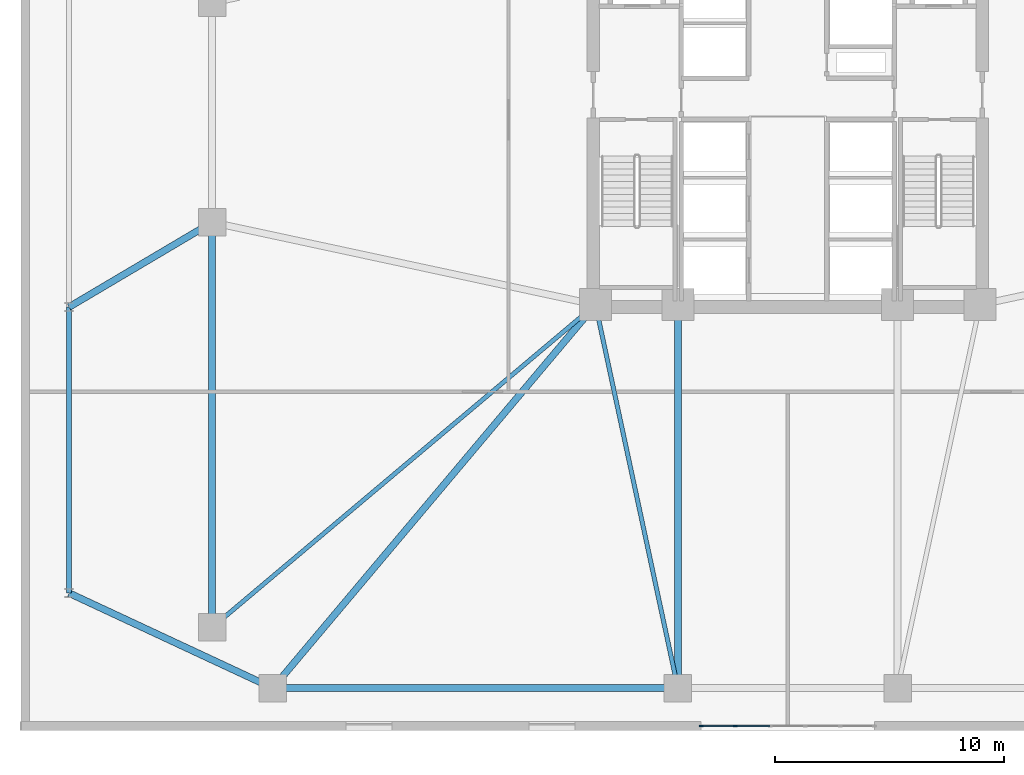
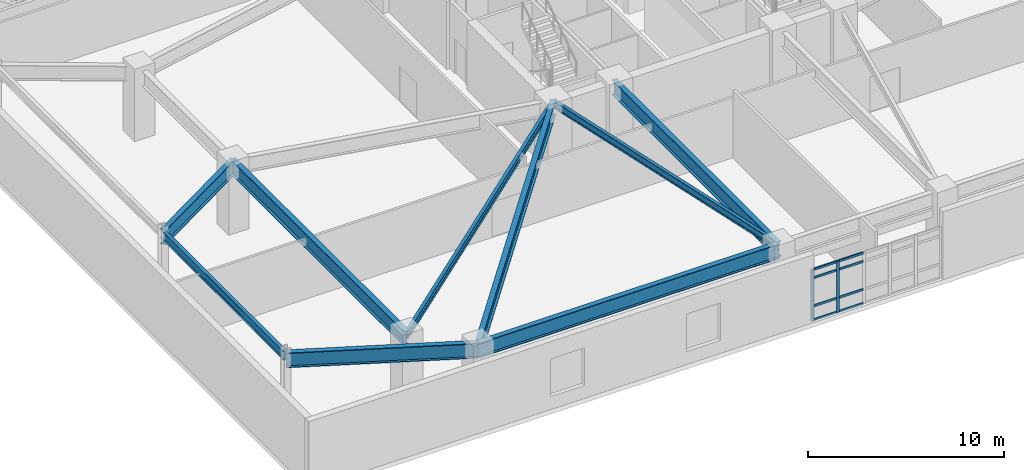
# One storey, part 3 of 21: 10 members, 9 beams, 1 element without a shape of its own.
"""IFC4 building model written with IfcOpenShell, lengths in metres."""

from ifc_helpers import new_model, si_unit, direction, frame, origin, origin_2d, place, context, subcontext, project, spatial, rectangle, i_section, extrude, material, layer, layer_set, material_profile, profile_set, type_object, element, aggregate, save


model = new_model("IFC4")

# Units and contexts
model_context = context("Model", 3, precision=1e-05, world=origin(), true_north=direction((0.0, 1.0)))
body_context = subcontext(model_context, "Body", "Model", "MODEL_VIEW")
ifc_project = project(units=[si_unit("LENGTHUNIT", "METRE"), si_unit("AREAUNIT", "SQUARE_METRE"), si_unit("VOLUMEUNIT", "CUBIC_METRE"), si_unit("PLANEANGLEUNIT", "RADIAN"), si_unit("MASSUNIT", "GRAM", prefix="KILO")], contexts=[model_context])

# Site, building, storey
site_placement = place(None, origin())
site = spatial("IfcSite", under=ifc_project, at=site_placement, CompositionType="ELEMENT")
building_placement = place(site_placement, origin())
building = spatial("IfcBuilding", under=site, at=building_placement, Name="Cairnveth Concourse Tower", CompositionType="ELEMENT")
storey_placement = place(building_placement, frame((0.0, 0.0, 10.0)))
storey = spatial("IfcBuildingStorey", under=building, at=storey_placement, Name="L02", CompositionType="ELEMENT", Elevation=10.0)

# Curtain wall, members
ifc_material_1 = material(Name="Architectural Bronze Anodised Aluminium 6063-T6", Category="aluminium")
ifc_layer = layer(ifc_material_1, 0.340087890625)
ifc_layer_set = layer_set([ifc_layer], Name="Architectural Bronze Anodised Aluminium 6063-T6")
curtain_wall_type = type_object("IfcCurtainWallType", Name="BALLROOM FOYER UNITISED CURTAIN WALL", PredefinedType="USERDEFINED", material=ifc_layer_set)
curtain_wall_placement = place(storey_placement, origin())
curtain_wall = element("IfcCurtainWall", 1, at=curtain_wall_placement, inside=storey, type_object=curtain_wall_type, Name="Curtain Wall CW-L02-S1", ObjectType="UNITISED FACADE", PredefinedType="USERDEFINED")
ifc_material_profile_1 = material_profile(ifc_material_1, rectangle(XDim=0.06494140625, YDim=0.179931640625, at=origin_2d()), Name="AL-MUL-65x180")
ifc_profile_set_1 = profile_set([ifc_material_profile_1], Name="Architectural Bronze Anodised Aluminium 6063-T6")
member_type_1 = type_object("IfcMemberType", Name="BRONZE CURTAIN WALL MULLION AL-MUL-65x180", PredefinedType="MULLION", material=ifc_profile_set_1)
member_1_placement = place(storey_placement, frame((49.7109375, 12.18994140625, 0.0), z_axis=(0.0, 0.0, 1.0), x_axis=(0.0, -1.0, 0.0)))
member_1 = element("IfcMember", 2, at=member_1_placement, type_object=member_type_1, Name="CWS3 mullion 5", PredefinedType="MULLION", context=body_context, shape_type="SweptSolid", body=[
    extrude(rectangle(XDim=0.06494140625, YDim=0.179931640625, at=origin_2d()), origin(), (0.0, 0.0, 1.0), 3.196044921875),
])
member_2_placement = place(storey_placement, frame((48.217529296875, 12.18994140625, 0.0), z_axis=(0.0, 0.0, 1.0), x_axis=(0.0, -1.0, 0.0)))
member_2 = element("IfcMember", 3, at=member_2_placement, type_object=member_type_1, Name="CWS3 mullion 6", PredefinedType="MULLION", context=body_context, shape_type="SweptSolid", body=[
    extrude(rectangle(XDim=0.06494140625, YDim=0.179931640625, at=origin_2d()), origin(), (0.0, 0.0, 1.0), 3.196044921875),
])
ifc_material_profile_2 = material_profile(ifc_material_1, rectangle(XDim=0.06494140625, YDim=0.139892578125, at=origin_2d()), Name="AL-TRN-65x140")
ifc_profile_set_2 = profile_set([ifc_material_profile_2], Name="Architectural Bronze Anodised Aluminium 6063-T6")
member_type_2 = type_object("IfcMemberType", Name="BRONZE CURTAIN WALL TRANSOM AL-TRN-65x140", PredefinedType="USERDEFINED", material=ifc_profile_set_2)
member_3_placement = place(storey_placement, frame((51.20458984375, 12.18994140625, 0.032470703125), z_axis=(-1.0, 0.0, 0.0), x_axis=(0.0, -1.0, 0.0)))
member_3 = element("IfcMember", 4, at=member_3_placement, type_object=member_type_2, Name="CWS3 transom 4.1", ObjectType="TRANSOM", PredefinedType="USERDEFINED", context=body_context, shape_type="SweptSolid", body=[
    extrude(rectangle(XDim=0.06494140625, YDim=0.139892578125, at=origin_2d()), origin(), (0.0, 0.0, 1.0), 1.461181640625),
])
member_4_placement = place(storey_placement, frame((51.20458984375, 12.18994140625, 0.89990234375), z_axis=(-1.0, 0.0, 0.0), x_axis=(0.0, -1.0, 0.0)))
member_4 = element("IfcMember", 5, at=member_4_placement, type_object=member_type_2, Name="CWS3 transom 4.2", ObjectType="TRANSOM", PredefinedType="USERDEFINED", context=body_context, shape_type="SweptSolid", body=[
    extrude(rectangle(XDim=0.06494140625, YDim=0.139892578125, at=origin_2d()), origin(), (0.0, 0.0, 1.0), 1.461181640625),
])
member_5_placement = place(storey_placement, frame((51.20458984375, 12.18994140625, 2.64599609375), z_axis=(-1.0, 0.0, 0.0), x_axis=(0.0, -1.0, 0.0)))
member_5 = element("IfcMember", 6, at=member_5_placement, type_object=member_type_2, Name="CWS3 transom 4.3", ObjectType="TRANSOM", PredefinedType="USERDEFINED", context=body_context, shape_type="SweptSolid", body=[
    extrude(rectangle(XDim=0.06494140625, YDim=0.139892578125, at=origin_2d()), origin(), (0.0, 0.0, 1.0), 1.461181640625),
])
member_6_placement = place(storey_placement, frame((51.20458984375, 12.18994140625, 3.16357421875), z_axis=(-1.0, 0.0, 0.0), x_axis=(0.0, -1.0, 0.0)))
member_6 = element("IfcMember", 7, at=member_6_placement, type_object=member_type_2, Name="CWS3 transom 4.4", ObjectType="TRANSOM", PredefinedType="USERDEFINED", context=body_context, shape_type="SweptSolid", body=[
    extrude(rectangle(XDim=0.06494140625, YDim=0.139892578125, at=origin_2d()), origin(), (0.0, 0.0, 1.0), 1.461181640625),
])
member_7_placement = place(storey_placement, frame((49.678466796875, 12.18994140625, 0.032470703125), z_axis=(-1.0, 0.0, 0.0), x_axis=(0.0, -1.0, 0.0)))
member_7 = element("IfcMember", 8, at=member_7_placement, type_object=member_type_2, Name="CWS3 transom 5.1", ObjectType="TRANSOM", PredefinedType="USERDEFINED", context=body_context, shape_type="SweptSolid", body=[
    extrude(rectangle(XDim=0.06494140625, YDim=0.139892578125, at=origin_2d()), origin(), (0.0, 0.0, 1.0), 1.428466796875),
])
member_8_placement = place(storey_placement, frame((49.678466796875, 12.18994140625, 0.89990234375), z_axis=(-1.0, 0.0, 0.0), x_axis=(0.0, -1.0, 0.0)))
member_8 = element("IfcMember", 9, at=member_8_placement, type_object=member_type_2, Name="CWS3 transom 5.2", ObjectType="TRANSOM", PredefinedType="USERDEFINED", context=body_context, shape_type="SweptSolid", body=[
    extrude(rectangle(XDim=0.06494140625, YDim=0.139892578125, at=origin_2d()), origin(), (0.0, 0.0, 1.0), 1.428466796875),
])
member_9_placement = place(storey_placement, frame((49.678466796875, 12.18994140625, 2.64599609375), z_axis=(-1.0, 0.0, 0.0), x_axis=(0.0, -1.0, 0.0)))
member_9 = element("IfcMember", 10, at=member_9_placement, type_object=member_type_2, Name="CWS3 transom 5.3", ObjectType="TRANSOM", PredefinedType="USERDEFINED", context=body_context, shape_type="SweptSolid", body=[
    extrude(rectangle(XDim=0.06494140625, YDim=0.139892578125, at=origin_2d()), origin(), (0.0, 0.0, 1.0), 1.428466796875),
])
member_10_placement = place(storey_placement, frame((49.678466796875, 12.18994140625, 3.16357421875), z_axis=(-1.0, 0.0, 0.0), x_axis=(0.0, -1.0, 0.0)))
member_10 = element("IfcMember", 11, at=member_10_placement, type_object=member_type_2, Name="CWS3 transom 5.4", ObjectType="TRANSOM", PredefinedType="USERDEFINED", context=body_context, shape_type="SweptSolid", body=[
    extrude(rectangle(XDim=0.06494140625, YDim=0.139892578125, at=origin_2d()), origin(), (0.0, 0.0, 1.0), 1.428466796875),
])
aggregate(curtain_wall, [member_1, member_2, member_3, member_4, member_5, member_6, member_7, member_8, member_9, member_10])

# Beams
ifc_material_2 = material(Name="Steel Grade 350", Category="steel")
ifc_material_profile_3 = material_profile(ifc_material_2, i_section(OverallWidth=0.208984375, OverallDepth=0.532958984375, WebThickness=0.01025390625, FlangeThickness=0.015625, FilletRadius=0.013916015625, at=origin_2d()), Name="530UB92.4")
ifc_profile_set_3 = profile_set([ifc_material_profile_3], Name="Steel Grade 350")
beam_type_1 = type_object("IfcBeamType", Name="PODIUM EDGE SPANDREL 530UB92.4", PredefinedType="SPANDREL", material=ifc_profile_set_3)
beam_1_placement = place(storey_placement, frame((20.60009765625, 18.0, 3.95361328125), z_axis=(0.0, 1.0, 0.0), x_axis=(-1.0, 0.0, 0.0)))
element("IfcBeam", 12, at=beam_1_placement, inside=storey, type_object=beam_type_1, Name="Beam PSP-W1 L02", PredefinedType="SPANDREL", context=body_context, shape_type="SweptSolid", body=[
    extrude(i_section(OverallWidth=0.208984375, OverallDepth=0.532958984375, WebThickness=0.01025390625, FlangeThickness=0.015625, FilletRadius=0.013916015625, at=origin_2d()), origin(), (0.0, 0.0, 1.0), 12.5),
])
ifc_material_profile_4 = material_profile(ifc_material_2, i_section(OverallWidth=0.18994140625, OverallDepth=0.45703125, WebThickness=0.009033203125, FlangeThickness=0.014404296875, FilletRadius=0.010986328125, at=origin_2d()), Name="460UB74.6")
ifc_profile_set_4 = profile_set([ifc_material_profile_4], Name="Steel Grade 350")
beam_type_2 = type_object("IfcBeamType", Name="PODIUM FLOOR JOIST 460UB74.6", PredefinedType="JOIST", material=ifc_profile_set_4)
beam_2_placement = place(storey_placement, frame((26.85009765625, 16.5, 3.991455078125), z_axis=(0.765027427674, 0.643997697905, 0.0), x_axis=(-0.643997697905, 0.765027427674, 0.0)))
element("IfcBeam", 13, at=beam_2_placement, inside=storey, type_object=beam_type_2, Name="Beam PJ-SW1 L02", PredefinedType="JOIST", context=body_context, shape_type="SweptSolid", body=[
    extrude(i_section(OverallWidth=0.18994140625, OverallDepth=0.45703125, WebThickness=0.009033203125, FlangeThickness=0.014404296875, FilletRadius=0.010986328125, at=origin_2d()), origin(), (0.0, 0.0, 1.0), 21.89453125),
])
beam_3_placement = place(storey_placement, frame((43.60009765625, 30.60009765625, 3.991455078125), z_axis=(0.210118799239, -0.977675861524, 0.0), x_axis=(0.977675861524, 0.210118799239, 0.0)))
element("IfcBeam", 14, at=beam_3_placement, inside=storey, type_object=beam_type_2, Name="Beam PJ-S-X L02", PredefinedType="JOIST", context=body_context, shape_type="SweptSolid", body=[
    extrude(i_section(OverallWidth=0.18994140625, OverallDepth=0.45703125, WebThickness=0.009033203125, FlangeThickness=0.014404296875, FilletRadius=0.010986328125, at=origin_2d()), origin(), (0.0, 0.0, 1.0), 17.132568359375),
])
ifc_material_profile_5 = material_profile(ifc_material_2, i_section(OverallWidth=0.300048828125, OverallDepth=0.924072265625, WebThickness=0.013916015625, FlangeThickness=0.031982421875, at=origin_2d()), Name="900WB257")
ifc_profile_set_5 = profile_set([ifc_material_profile_5], Name="Steel Grade 350")
beam_type_3 = type_object("IfcBeamType", Name="PODIUM PRIMARY GIRDER 900WB257", PredefinedType="BEAM", material=ifc_profile_set_5)
beam_4_placement = place(storey_placement, frame((20.60009765625, 18.0, 3.758056640625), z_axis=(0.906315208572, -0.422602345842, 0.0), x_axis=(0.422602345842, 0.906315208572, 0.0)))
element("IfcBeam", 15, at=beam_4_placement, inside=storey, type_object=beam_type_3, Name="Beam PG-W-S L02", PredefinedType="BEAM", context=body_context, shape_type="SweptSolid", body=[
    extrude(i_section(OverallWidth=0.300048828125, OverallDepth=0.924072265625, WebThickness=0.013916015625, FlangeThickness=0.031982421875, at=origin_2d()), origin(), (0.0, 0.0, 1.0), 9.81982421875),
])
beam_5_placement = place(storey_placement, frame((20.60009765625, 30.5, 3.758056640625), z_axis=(0.860518044459, 0.509419959523, 0.0), x_axis=(-0.509419959523, 0.860518044459, 0.0)))
element("IfcBeam", 16, at=beam_5_placement, inside=storey, type_object=beam_type_3, Name="Beam PG-W1 L02", PredefinedType="BEAM", context=body_context, shape_type="SweptSolid", body=[
    extrude(i_section(OverallWidth=0.300048828125, OverallDepth=0.924072265625, WebThickness=0.013916015625, FlangeThickness=0.031982421875, at=origin_2d()), origin(), (0.0, 0.0, 1.0), 7.26318359375),
])
beam_6_placement = place(storey_placement, frame((47.199951171875, 13.85009765625, 3.758056640625), z_axis=(0.0, 1.0, 0.0), x_axis=(-1.0, 0.0, 0.0)))
element("IfcBeam", 17, at=beam_6_placement, inside=storey, type_object=beam_type_3, Name="Beam PG-S1 L02", PredefinedType="BEAM", context=body_context, shape_type="SweptSolid", body=[
    extrude(i_section(OverallWidth=0.300048828125, OverallDepth=0.924072265625, WebThickness=0.013916015625, FlangeThickness=0.031982421875, at=origin_2d()), origin(), (0.0, 0.0, 1.0), 16.75),
])
beam_7_placement = place(storey_placement, frame((29.5, 13.85009765625, 3.758056640625), z_axis=(0.643997697905, 0.765027427674, 0.0), x_axis=(-0.765027427674, 0.643997697905, 0.0)))
element("IfcBeam", 18, at=beam_7_placement, inside=storey, type_object=beam_type_3, Name="Beam PG-CSW L02", PredefinedType="BEAM", context=body_context, shape_type="SweptSolid", body=[
    extrude(i_section(OverallWidth=0.300048828125, OverallDepth=0.924072265625, WebThickness=0.013916015625, FlangeThickness=0.031982421875, at=origin_2d()), origin(), (0.0, 0.0, 1.0), 21.89453125),
])
for number, where, z_axis, x_axis, name in (
    (19, (29.5, 13.85009765625, 3.758056640625), (1.0, 0.0, 0.0), (0.0, 1.0, 0.0), "Beam PR-S1 L02"),
    (20, (26.85009765625, 16.5, 3.758056640625), (0.0, 1.0, 0.0), (-1.0, 0.0, 0.0), "Beam PR-W1 L02"),
):
    element("IfcBeam", number, at=place(storey_placement, frame(where, z_axis=z_axis, x_axis=x_axis)), inside=storey, type_object=beam_type_3, Name=name, PredefinedType="BEAM", context=body_context, shape_type="SweptSolid", body=[
        extrude(i_section(OverallWidth=0.300048828125, OverallDepth=0.924072265625, WebThickness=0.013916015625, FlangeThickness=0.031982421875, at=origin_2d()), origin(), (0.0, 0.0, 1.0), 17.699951171875),
    ])

save(model, "model.ifc")
